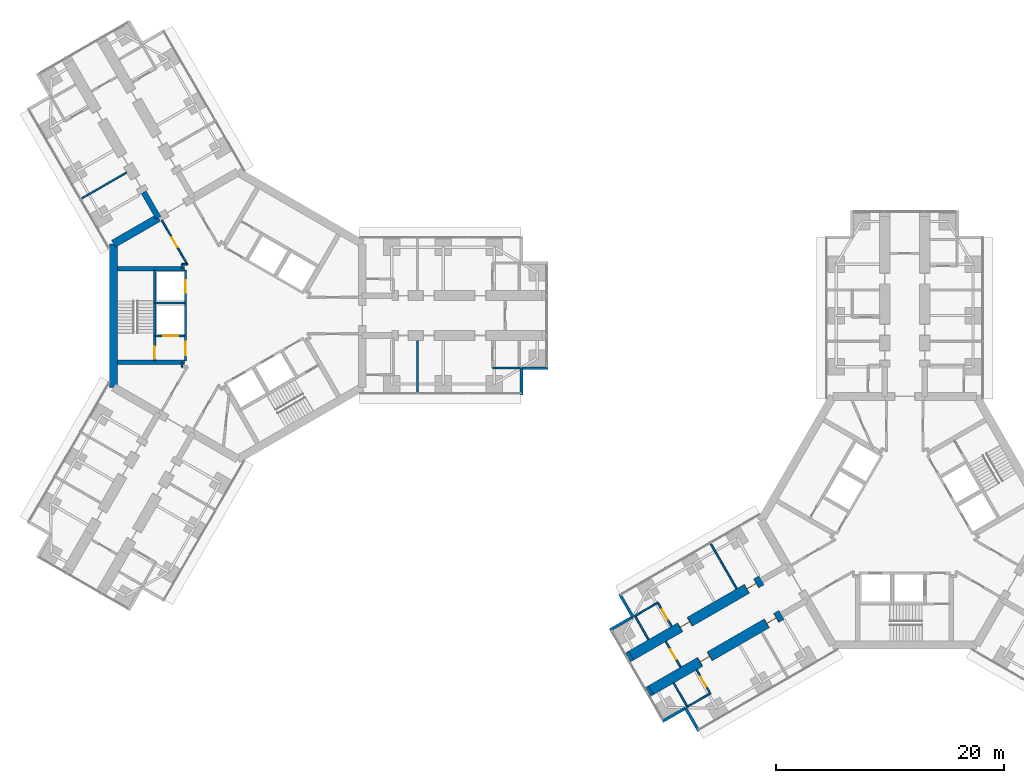
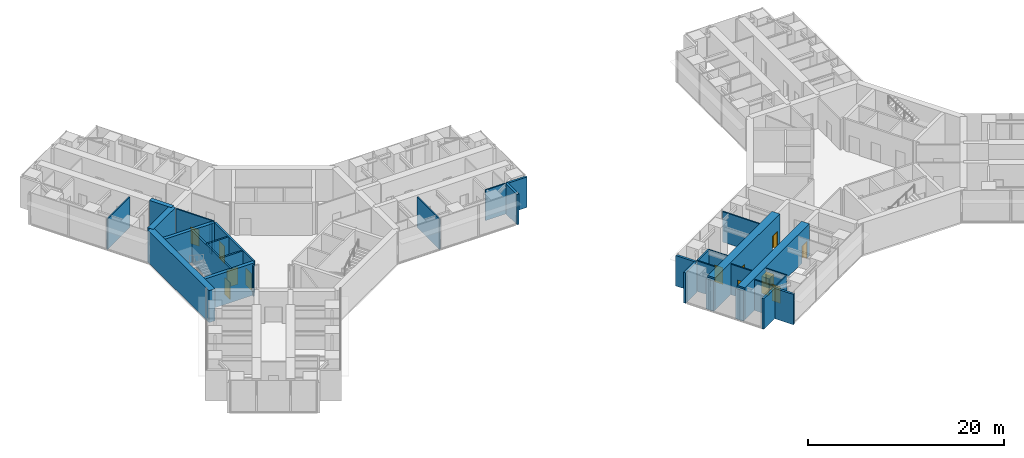
# One storey, part 17 of 24: 34 walls, 12 doors, 12 openings.
"""IFC4 building model written with IfcOpenShell, lengths in metres."""

from ifc_helpers import new_model, si_unit, direction, frame, frame_2d, origin, place, context, subcontext, project, spatial, rectangle, extrude, material, layer, layer_set, type_object, element, fill, save


model = new_model("IFC4")

# Units and contexts
model_context = context("Model", 3, precision=1e-05, world=origin(), true_north=direction((0.0, 1.0)))
body_context = subcontext(model_context, "Body", "Model", "MODEL_VIEW")
ifc_project = project(units=[si_unit("LENGTHUNIT", "METRE"), si_unit("AREAUNIT", "SQUARE_METRE"), si_unit("VOLUMEUNIT", "CUBIC_METRE"), si_unit("PLANEANGLEUNIT", "RADIAN"), si_unit("MASSUNIT", "GRAM", prefix="KILO")], contexts=[model_context])

# Site, building, storey
site_placement = place(None, origin())
site = spatial("IfcSite", under=ifc_project, at=site_placement, CompositionType="ELEMENT")
building_placement = place(site_placement, origin())
building = spatial("IfcBuilding", under=site, at=building_placement, Name="Upepo Twin Towers", CompositionType="ELEMENT")
storey_placement = place(building_placement, frame((0.0, 0.0, 56.5)))
storey = spatial("IfcBuildingStorey", under=building, at=storey_placement, Name="L13", CompositionType="ELEMENT", Elevation=56.5)

# Walls
ifc_material_1 = material(Name="Dense concrete blockwork", Category="masonry")
ifc_layer_1 = layer(ifc_material_1, 0.89990234375)
ifc_layer_set_1 = layer_set([ifc_layer_1], Name="Buttress closer 900, blockwork with fire-stopping to the curtain wall")
wall_type_1 = type_object("IfcWallType", Name="Buttress closer 900, blockwork with fire-stopping to the curtain wall", PredefinedType="PARTITIONING", material=ifc_layer_set_1)
for number, where, z_axis, x_axis, name in (
    (1, (36.252197265625, -32.865478515625, 0.0), (0.0, 0.0, 1.0), (-0.866054481515, -0.499949632511, 0.0), "T2 L13 wing B buttress closer L"),
    (2, (34.502197265625, -29.83447265625, 0.0), (0.0, 0.0, 1.0), (-0.866054481515, -0.499949632511, 0.0), "T2 L13 wing B buttress closer R"),
):
    element("IfcWall", number, at=place(storey_placement, frame(where, z_axis=z_axis, x_axis=x_axis)), inside=storey, type_object=wall_type_1, Name=name, PredefinedType="PARTITIONING", context=body_context, shape_type="SweptSolid", body=[
        extrude(rectangle(XDim=0.31005859375, YDim=0.89990234375, at=frame_2d((0.155029296875, 0.0))), origin(), (0.0, 0.0, 1.0), 3.800048828125),
    ])
ifc_material_2 = material(Name="Concrete C60/75", Category="concrete")
ifc_layer_2 = layer(ifc_material_2, 0.5)
ifc_layer_set_2 = layer_set([ifc_layer_2], Name="Concrete C60/75")
wall_type_2 = type_object("IfcWallType", Name="Buttress wall 500 RC", PredefinedType="SHEAR", material=ifc_layer_set_2)
wall_1_placement = place(storey_placement, frame((-6.9697265625, 8.57177734375, 0.0), z_axis=(0.0, 0.0, 1.0), x_axis=(-0.499988811324, 0.866031863473, 0.0)))
element("IfcWall", 3, at=wall_1_placement, inside=storey, type_object=wall_type_2, Name="T1 wing B buttress wall L", PredefinedType="SHEAR", context=body_context, shape_type="SweptSolid", body=[
    extrude(rectangle(XDim=2.591796875, YDim=0.5, at=frame_2d((1.2958984375, 0.0))), origin(), (0.0, 0.0, 1.0), 4.0),
])

# Wall, openings, doors
ifc_material_3 = material(Name="Concrete C60/75", Category="concrete")
ifc_layer_3 = layer(ifc_material_3, 0.89990234375)
ifc_layer_set_3 = layer_set([ifc_layer_3], Name="Concrete C60/75")
wall_type_3 = type_object("IfcWallType", Name="Buttress wall 900 RC", PredefinedType="SHEAR", material=ifc_layer_set_3)
wall_2_placement = place(storey_placement, frame((47.68359375, -26.265625, 0.0), z_axis=(0.0, 0.0, 1.0), x_axis=(-0.866027579429, -0.499996231654, 0.0)))
wall_2 = element("IfcWall", 4, at=wall_2_placement, inside=storey, type_object=wall_type_3, Name="T2 wing B buttress wall L part 2", PredefinedType="SHEAR", context=body_context, shape_type="SweptSolid", body=[
    extrude(rectangle(XDim=13.19970703125, YDim=0.89990234375, at=frame_2d((6.599853515625, 0.0))), origin(), (0.0, 0.0, 1.0), 4.0),
])
opening_1_placement = place(wall_2_placement, frame((0.5, 0.0, 0.0)))
opening_1 = element("IfcOpeningElement", 5, at=opening_1_placement, cuts=wall_2, Name="Opening D1", PredefinedType="OPENING", context=body_context, shape_type="SweptSolid", body=[
    extrude(rectangle(XDim=1.0, YDim=2.10009765625, at=frame_2d((0.5, 1.050048828125))), frame((0.0, 0.4599609375, 0.0), z_axis=(0.0, -1.0, 0.0), x_axis=(1.0, 0.0, 0.0)), (0.0, 0.0, 1.0), 0.919921875),
])
opening_2_placement = place(wall_2_placement, frame((7.25, 0.0, 0.0)))
opening_2 = element("IfcOpeningElement", 6, at=opening_2_placement, cuts=wall_2, Name="Opening D1", PredefinedType="OPENING", context=body_context, shape_type="SweptSolid", body=[
    extrude(rectangle(XDim=1.0, YDim=2.10009765625, at=frame_2d((0.5, 1.050048828125))), frame((0.0, 0.4599609375, 0.0), z_axis=(0.0, -1.0, 0.0), x_axis=(1.0, 0.0, 0.0)), (0.0, 0.0, 1.0), 0.919921875),
])
ifc_material_4 = material(Name="Timber doorset", Category="wood")
door_type_1 = type_object("IfcDoorType", Name="Room door 1000 FD30", OperationType="SINGLE_SWING_LEFT", PredefinedType="DOOR", material=ifc_material_4)
door_1_placement = place(opening_1_placement, origin())
door_1 = element("IfcDoor", 7, at=door_1_placement, inside=storey, type_object=door_type_1, Name="T2 L13 tutorial room door", OperationType="SINGLE_SWING_LEFT", OverallHeight=2.10009765625, OverallWidth=1.0, PredefinedType="DOOR", context=body_context, shape_type="SweptSolid", body=[
    extrude(rectangle(XDim=0.92, YDim=2.06009765625, at=frame_2d((0.5, 1.030029296875))), frame((0.0, 0.02490234375, 0.0), z_axis=(0.0, -1.0, 0.0), x_axis=(1.0, 0.0, 0.0)), (0.0, 0.0, 1.0), 0.050048828125),
    extrude(rectangle(XDim=0.04, YDim=2.10009765625, at=frame_2d((0.02001953125, 1.050048828125))), frame((0.0, 0.44970703125, 0.0), z_axis=(0.0, -1.0, 0.0), x_axis=(1.0, 0.0, 0.0)), (0.0, 0.0, 1.0), 0.8994140625),
    extrude(rectangle(XDim=0.04, YDim=2.10009765625, at=frame_2d((0.97998046875, 1.050048828125))), frame((0.0, 0.44970703125, 0.0), z_axis=(0.0, -1.0, 0.0), x_axis=(1.0, 0.0, 0.0)), (0.0, 0.0, 1.0), 0.8994140625),
    extrude(rectangle(XDim=0.92, YDim=0.04, at=frame_2d((0.5, 2.080078125))), frame((0.0, 0.44970703125, 0.0), z_axis=(0.0, -1.0, 0.0), x_axis=(1.0, 0.0, 0.0)), (0.0, 0.0, 1.0), 0.8994140625),
])
fill(opening_1, door_1)
door_2_placement = place(opening_2_placement, origin())
door_2 = element("IfcDoor", 8, at=door_2_placement, inside=storey, type_object=door_type_1, Name="T2 L13 classroom door", OperationType="SINGLE_SWING_RIGHT", OverallHeight=2.10009765625, OverallWidth=1.0, PredefinedType="DOOR", context=body_context, shape_type="SweptSolid", body=[
    extrude(rectangle(XDim=0.92, YDim=2.06009765625, at=frame_2d((0.5, 1.030029296875))), frame((0.0, 0.02490234375, 0.0), z_axis=(0.0, -1.0, 0.0), x_axis=(1.0, 0.0, 0.0)), (0.0, 0.0, 1.0), 0.050048828125),
    extrude(rectangle(XDim=0.04, YDim=2.10009765625, at=frame_2d((0.02001953125, 1.050048828125))), frame((0.0, 0.44970703125, 0.0), z_axis=(0.0, -1.0, 0.0), x_axis=(1.0, 0.0, 0.0)), (0.0, 0.0, 1.0), 0.8994140625),
    extrude(rectangle(XDim=0.04, YDim=2.10009765625, at=frame_2d((0.97998046875, 1.050048828125))), frame((0.0, 0.44970703125, 0.0), z_axis=(0.0, -1.0, 0.0), x_axis=(1.0, 0.0, 0.0)), (0.0, 0.0, 1.0), 0.8994140625),
    extrude(rectangle(XDim=0.92, YDim=0.04, at=frame_2d((0.5, 2.080078125))), frame((0.0, 0.44970703125, 0.0), z_axis=(0.0, -1.0, 0.0), x_axis=(1.0, 0.0, 0.0)), (0.0, 0.0, 1.0), 0.8994140625),
])
fill(opening_2, door_2)

wall_3_placement = place(storey_placement, frame((45.93359375, -23.234375, 0.0), z_axis=(0.0, 0.0, 1.0), x_axis=(-0.866019570528, -0.500010103361, 0.0)))
wall_3 = element("IfcWall", 9, at=wall_3_placement, inside=storey, type_object=wall_type_3, Name="T2 wing B buttress wall R part 2", PredefinedType="SHEAR", context=body_context, shape_type="SweptSolid", body=[
    extrude(rectangle(XDim=13.199951171875, YDim=0.89990234375, at=frame_2d((6.60009765625, 0.0))), origin(), (0.0, 0.0, 1.0), 4.0),
])
opening_3_placement = place(wall_3_placement, frame((0.5, 0.0, 0.0)))
opening_3 = element("IfcOpeningElement", 10, at=opening_3_placement, cuts=wall_3, Name="Opening D1", PredefinedType="OPENING", context=body_context, shape_type="SweptSolid", body=[
    extrude(rectangle(XDim=1.0, YDim=2.10009765625, at=frame_2d((0.5, 1.050048828125))), frame((0.0, 0.4599609375, 0.0), z_axis=(0.0, -1.0, 0.0), x_axis=(1.0, 0.0, 0.0)), (0.0, 0.0, 1.0), 0.919921875),
])
opening_4_placement = place(wall_3_placement, frame((7.25, 0.0, 0.0)))
opening_4 = element("IfcOpeningElement", 11, at=opening_4_placement, cuts=wall_3, Name="Opening D1", PredefinedType="OPENING", context=body_context, shape_type="SweptSolid", body=[
    extrude(rectangle(XDim=1.0, YDim=2.10009765625, at=frame_2d((0.5, 1.050048828125))), frame((0.0, 0.4599609375, 0.0), z_axis=(0.0, -1.0, 0.0), x_axis=(1.0, 0.0, 0.0)), (0.0, 0.0, 1.0), 0.919921875),
])
door_3_placement = place(opening_3_placement, origin())
door_3 = element("IfcDoor", 12, at=door_3_placement, inside=storey, type_object=door_type_1, Name="T2 L13 staff office door", OperationType="SINGLE_SWING_LEFT", OverallHeight=2.10009765625, OverallWidth=1.0, PredefinedType="DOOR", context=body_context, shape_type="SweptSolid", body=[
    extrude(rectangle(XDim=0.92, YDim=2.06009765625, at=frame_2d((0.5, 1.030029296875))), frame((0.0, 0.02490234375, 0.0), z_axis=(0.0, -1.0, 0.0), x_axis=(1.0, 0.0, 0.0)), (0.0, 0.0, 1.0), 0.050048828125),
    extrude(rectangle(XDim=0.04, YDim=2.10009765625, at=frame_2d((0.02001953125, 1.050048828125))), frame((0.0, 0.44970703125, 0.0), z_axis=(0.0, -1.0, 0.0), x_axis=(1.0, 0.0, 0.0)), (0.0, 0.0, 1.0), 0.8994140625),
    extrude(rectangle(XDim=0.04, YDim=2.10009765625, at=frame_2d((0.97998046875, 1.050048828125))), frame((0.0, 0.44970703125, 0.0), z_axis=(0.0, -1.0, 0.0), x_axis=(1.0, 0.0, 0.0)), (0.0, 0.0, 1.0), 0.8994140625),
    extrude(rectangle(XDim=0.92, YDim=0.04, at=frame_2d((0.5, 2.080078125))), frame((0.0, 0.44970703125, 0.0), z_axis=(0.0, -1.0, 0.0), x_axis=(1.0, 0.0, 0.0)), (0.0, 0.0, 1.0), 0.8994140625),
])
fill(opening_3, door_3)
door_4_placement = place(opening_4_placement, origin())
door_4 = element("IfcDoor", 13, at=door_4_placement, inside=storey, type_object=door_type_1, Name="T2 L13 classroom door", OperationType="SINGLE_SWING_RIGHT", OverallHeight=2.10009765625, OverallWidth=1.0, PredefinedType="DOOR", context=body_context, shape_type="SweptSolid", body=[
    extrude(rectangle(XDim=0.92, YDim=2.06009765625, at=frame_2d((0.5, 1.030029296875))), frame((0.0, 0.02490234375, 0.0), z_axis=(0.0, -1.0, 0.0), x_axis=(1.0, 0.0, 0.0)), (0.0, 0.0, 1.0), 0.050048828125),
    extrude(rectangle(XDim=0.04, YDim=2.10009765625, at=frame_2d((0.02001953125, 1.050048828125))), frame((0.0, 0.44970703125, 0.0), z_axis=(0.0, -1.0, 0.0), x_axis=(1.0, 0.0, 0.0)), (0.0, 0.0, 1.0), 0.8994140625),
    extrude(rectangle(XDim=0.04, YDim=2.10009765625, at=frame_2d((0.97998046875, 1.050048828125))), frame((0.0, 0.44970703125, 0.0), z_axis=(0.0, -1.0, 0.0), x_axis=(1.0, 0.0, 0.0)), (0.0, 0.0, 1.0), 0.8994140625),
    extrude(rectangle(XDim=0.92, YDim=0.04, at=frame_2d((0.5, 2.080078125))), frame((0.0, 0.44970703125, 0.0), z_axis=(0.0, -1.0, 0.0), x_axis=(1.0, 0.0, 0.0)), (0.0, 0.0, 1.0), 0.8994140625),
])
fill(opening_4, door_4)

# Walls
ifc_material_5 = material(Name="Concrete C60/75", Category="concrete")
ifc_layer_4 = layer(ifc_material_5, 0.699951171875)
ifc_layer_set_4 = layer_set([ifc_layer_4], Name="Concrete C60/75")
wall_type_4 = type_object("IfcWallType", Name="Core wall 700 RC", PredefinedType="SHEAR", material=ifc_layer_set_4)
wall_4_placement = place(storey_placement, frame((-6.9697265625, 8.57177734375, 0.0), z_axis=(0.0, 0.0, 1.0), x_axis=(-0.866034513004, -0.499984222037, 0.0)))
element("IfcWall", 14, at=wall_4_placement, inside=storey, type_object=wall_type_4, Name="T1 core wall 120 L", PredefinedType="SHEAR", context=body_context, shape_type="SweptSolid", body=[
    extrude(rectangle(XDim=4.548095703125, YDim=0.699951171875, at=frame_2d((2.27392578125, 0.0))), origin(), (0.0, 0.0, 1.0), 4.0),
])
wall_5_placement = place(storey_placement, frame((-10.908447265625, 6.2978515625, 0.0), z_axis=(0.0, 0.0, 1.0), x_axis=(0.0, -1.0, 0.0)))
element("IfcWall", 15, at=wall_5_placement, inside=storey, type_object=wall_type_4, Name="T1 core wall 180", PredefinedType="SHEAR", context=body_context, shape_type="SweptSolid", body=[
    extrude(rectangle(XDim=12.595703125, YDim=0.699951171875, at=frame_2d((6.2978515625, 0.0))), origin(), (0.0, 0.0, 1.0), 4.0),
])
ifc_material_6 = material(Name="Blockwork with anodised aluminium cladding", Category="masonry")
ifc_layer_5 = layer(ifc_material_6, 0.25)
ifc_layer_set_5 = layer_set([ifc_layer_5], Name="Notch cladding wall 250, pale metal")
wall_type_5 = type_object("IfcWallType", Name="Notch cladding wall 250, pale metal", PredefinedType="STANDARD", material=ifc_layer_set_5)
for number, where, z_axis, x_axis, name in (
    (16, (24.875, -6.949951171875, 0.0), (0.0, 0.0, 1.0), (0.0, 1.0, 0.0), "T1 L13 wing A notch wall R1"),
    (17, (24.875, -4.625, 0.0), (0.0, 0.0, 1.0), (1.0, 0.0, 0.0), "T1 L13 wing A notch wall R2"),
    (18, (40.4326171875, -36.456298828125, 0.0), (0.0, 0.0, 1.0), (-0.500046648681, 0.865998469481, 0.0), "T2 L13 wing B notch wall L1"),
    (19, (39.27001953125, -34.44287109375, 0.0), (0.0, 0.0, 1.0), (-0.865998469481, -0.500046648681, 0.0), "T2 L13 wing B notch wall L2"),
    (20, (33.482666015625, -24.418701171875, 0.0), (0.0, 0.0, 1.0), (0.499967891604, -0.866043940782, 0.0), "T2 L13 wing B notch wall R1"),
    (21, (34.64501953125, -26.43212890625, 0.0), (0.0, 0.0, 1.0), (-0.865998469481, -0.500046648681, 0.0), "T2 L13 wing B notch wall R2"),
):
    element("IfcWall", number, at=place(storey_placement, frame(where, z_axis=z_axis, x_axis=x_axis)), inside=storey, type_object=wall_type_5, Name=name, PredefinedType="STANDARD", context=body_context, shape_type="SweptSolid", body=[
        extrude(rectangle(XDim=2.324951171875, YDim=0.25, at=frame_2d((1.16259765625, 0.0))), origin(), (0.0, 0.0, 1.0), 3.800048828125),
    ])

# Wall, openings, doors
ifc_material_7 = material(Name="Concrete C40/50", Category="concrete")
ifc_layer_6 = layer(ifc_material_7, 0.199951171875)
ifc_layer_set_6 = layer_set([ifc_layer_6], Name="Concrete C40/50")
wall_type_6 = type_object("IfcWallType", Name="Shaft wall 200 RC", PredefinedType="SHEAR", material=ifc_layer_set_6)
wall_6_placement = place(storey_placement, frame((-4.60009765625, 4.0, 0.0), z_axis=(0.0, 0.0, 1.0), x_axis=(0.0, -1.0, 0.0)))
wall_6 = element("IfcWall", 22, at=wall_6_placement, inside=storey, type_object=wall_type_6, Name="T1 core W180 front wall", PredefinedType="SHEAR", context=body_context, shape_type="SweptSolid", body=[
    extrude(rectangle(XDim=8.0, YDim=0.199951171875, at=frame_2d((4.0, 0.0))), origin(), (0.0, 0.0, 1.0), 4.0),
])
opening_5_placement = place(wall_6_placement, frame((6.300048828125, 0.0, 0.0)))
opening_5 = element("IfcOpeningElement", 23, at=opening_5_placement, cuts=wall_6, Name="Opening D4", PredefinedType="OPENING", context=body_context, shape_type="SweptSolid", body=[
    extrude(rectangle(XDim=1.199951171875, YDim=2.10009765625, at=frame_2d((0.60009765625, 1.050048828125))), frame((0.0, 0.10986328125, 0.0), z_axis=(0.0, -1.0, 0.0), x_axis=(1.0, 0.0, 0.0)), (0.0, 0.0, 1.0), 0.219970703125),
])
opening_6_placement = place(wall_6_placement, frame((0.89990234375, 0.0, 0.0)))
opening_6 = element("IfcOpeningElement", 24, at=opening_6_placement, cuts=wall_6, Name="Opening LD1", PredefinedType="OPENING", context=body_context, shape_type="SweptSolid", body=[
    extrude(rectangle(XDim=1.10009765625, YDim=2.199951171875, at=frame_2d((0.550048828125, 1.10009765625))), frame((0.0, 0.10986328125, 0.0), z_axis=(0.0, -1.0, 0.0), x_axis=(1.0, 0.0, 0.0)), (0.0, 0.0, 1.0), 0.219970703125),
])
ifc_material_8 = material(Name="Steel doorset", Category="steel")
door_type_2 = type_object("IfcDoorType", Name="Lift landing door 1100", OperationType="DOUBLE_DOOR_SLIDING", PredefinedType="DOOR", material=ifc_material_8)
door_5_placement = place(opening_6_placement, origin())
door_5 = element("IfcDoor", 25, at=door_5_placement, inside=storey, type_object=door_type_2, Name="T1 L13 lift SV1 landing door", OperationType="DOUBLE_DOOR_SLIDING", OverallHeight=2.199951171875, OverallWidth=1.10009765625, PredefinedType="DOOR", context=body_context, shape_type="SweptSolid", body=[
    extrude(rectangle(XDim=1.10009765625, YDim=2.199951171875, at=frame_2d((0.550048828125, 1.10009765625))), frame((0.0, 0.02490234375, 0.0), z_axis=(0.0, -1.0, 0.0), x_axis=(1.0, 0.0, 0.0)), (0.0, 0.0, 1.0), 0.050048828125),
])
fill(opening_6, door_5)
ifc_material_9 = material(Name="Timber doorset", Category="wood")
door_type_3 = type_object("IfcDoorType", Name="Lobby door 1200 FD60", OperationType="SINGLE_SWING_LEFT", PredefinedType="DOOR", material=ifc_material_9)
door_6_placement = place(opening_5_placement, origin())
door_6 = element("IfcDoor", 26, at=door_6_placement, inside=storey, type_object=door_type_3, Name="T1 L13 W180 lobby door", OperationType="SINGLE_SWING_RIGHT", OverallHeight=2.10009765625, OverallWidth=1.199951171875, PredefinedType="DOOR", context=body_context, shape_type="SweptSolid", body=[
    extrude(rectangle(XDim=1.199951171875, YDim=2.10009765625, at=frame_2d((0.60009765625, 1.050048828125))), frame((0.0, 0.02490234375, 0.0), z_axis=(0.0, -1.0, 0.0), x_axis=(1.0, 0.0, 0.0)), (0.0, 0.0, 1.0), 0.050048828125),
])
fill(opening_5, door_6)

# Wall
wall_7_placement = place(storey_placement, frame((-4.699951171875, 1.10009765625, 0.0), z_axis=(0.0, 0.0, 1.0), x_axis=(-1.0, 0.0, 0.0)))
element("IfcWall", 27, at=wall_7_placement, inside=storey, type_object=wall_type_6, Name="T1 core W180 shaft divider", PredefinedType="SHEAR", context=body_context, shape_type="SweptSolid", body=[
    extrude(rectangle(XDim=2.60009765625, YDim=0.199951171875, at=frame_2d((1.300048828125, 0.0))), origin(), (0.0, 0.0, 1.0), 4.0),
])

# Wall, opening, door
wall_8_placement = place(storey_placement, frame((-4.699951171875, -1.800048828125, 0.0), z_axis=(0.0, 0.0, 1.0), x_axis=(-1.0, 0.0, 0.0)))
wall_8 = element("IfcWall", 28, at=wall_8_placement, inside=storey, type_object=wall_type_6, Name="T1 core W180 lobby wall", PredefinedType="SHEAR", context=body_context, shape_type="SweptSolid", body=[
    extrude(rectangle(XDim=2.60009765625, YDim=0.199951171875, at=frame_2d((1.300048828125, 0.0))), origin(), (0.0, 0.0, 1.0), 4.0),
])
opening_7_placement = place(wall_8_placement, frame((0.550048828125, 0.0, 0.0)))
opening_7 = element("IfcOpeningElement", 29, at=opening_7_placement, cuts=wall_8, Name="Opening LD2", PredefinedType="OPENING", context=body_context, shape_type="SweptSolid", body=[
    extrude(rectangle(XDim=1.300048828125, YDim=2.199951171875, at=frame_2d((0.64990234375, 1.10009765625))), frame((0.0, 0.10986328125, 0.0), z_axis=(0.0, -1.0, 0.0), x_axis=(1.0, 0.0, 0.0)), (0.0, 0.0, 1.0), 0.219970703125),
])
ifc_material_10 = material(Name="Steel doorset", Category="steel")
door_type_4 = type_object("IfcDoorType", Name="Firefighting lift landing door 1300", OperationType="DOUBLE_DOOR_SLIDING", PredefinedType="DOOR", material=ifc_material_10)
door_7_placement = place(opening_7_placement, origin())
door_7 = element("IfcDoor", 30, at=door_7_placement, inside=storey, type_object=door_type_4, Name="T1 L13 firefighting lift landing door", OperationType="DOUBLE_DOOR_SLIDING", OverallHeight=2.199951171875, OverallWidth=1.300048828125, PredefinedType="DOOR", context=body_context, shape_type="SweptSolid", body=[
    extrude(rectangle(XDim=1.300048828125, YDim=2.199951171875, at=frame_2d((0.64990234375, 1.10009765625))), frame((0.0, 0.02490234375, 0.0), z_axis=(0.0, -1.0, 0.0), x_axis=(1.0, 0.0, 0.0)), (0.0, 0.0, 1.0), 0.050048828125),
])
fill(opening_7, door_7)

wall_9_placement = place(storey_placement, frame((-7.300048828125, 4.0, 0.0), z_axis=(0.0, 0.0, 1.0), x_axis=(0.0, -1.0, 0.0)))
wall_9 = element("IfcWall", 31, at=wall_9_placement, inside=storey, type_object=wall_type_6, Name="T1 core W180 stair wall", PredefinedType="SHEAR", context=body_context, shape_type="SweptSolid", body=[
    extrude(rectangle(XDim=8.0, YDim=0.199951171875, at=frame_2d((4.0, 0.0))), origin(), (0.0, 0.0, 1.0), 4.0),
])
opening_8_placement = place(wall_9_placement, frame((6.699951171875, 0.0, 0.0)))
opening_8 = element("IfcOpeningElement", 32, at=opening_8_placement, cuts=wall_9, Name="Opening D3", PredefinedType="OPENING", context=body_context, shape_type="SweptSolid", body=[
    extrude(rectangle(XDim=1.10009765625, YDim=2.10009765625, at=frame_2d((0.550048828125, 1.050048828125))), frame((0.0, 0.10986328125, 0.0), z_axis=(0.0, -1.0, 0.0), x_axis=(1.0, 0.0, 0.0)), (0.0, 0.0, 1.0), 0.219970703125),
])
ifc_material_11 = material(Name="Timber doorset", Category="wood")
door_type_5 = type_object("IfcDoorType", Name="Stair door 1100 FD60", OperationType="SINGLE_SWING_LEFT", PredefinedType="DOOR", material=ifc_material_11)
door_8_placement = place(opening_8_placement, origin())
door_8 = element("IfcDoor", 33, at=door_8_placement, inside=storey, type_object=door_type_5, Name="T1 L13 stair door", OperationType="SINGLE_SWING_RIGHT", OverallHeight=2.10009765625, OverallWidth=1.10009765625, PredefinedType="DOOR", context=body_context, shape_type="SweptSolid", body=[
    extrude(rectangle(XDim=1.10009765625, YDim=2.10009765625, at=frame_2d((0.550048828125, 1.050048828125))), frame((0.0, 0.02490234375, 0.0), z_axis=(0.0, -1.0, 0.0), x_axis=(1.0, 0.0, 0.0)), (0.0, 0.0, 1.0), 0.050048828125),
])
fill(opening_8, door_8)

# Walls
ifc_material_12 = material(Name="Concrete C40/50", Category="concrete")
ifc_layer_7 = layer(ifc_material_12, 0.39990234375)
ifc_layer_set_7 = layer_set([ifc_layer_7], Name="Concrete C40/50")
wall_type_7 = type_object("IfcWallType", Name="Shaft wall 400 RC", PredefinedType="SHEAR", material=ifc_layer_set_7)
for number, where, z_axis, x_axis, name in (
    (34, (-4.699951171875, -4.10009765625, 0.0), (0.0, 0.0, 1.0), (-1.0, 0.0, 0.0), "T1 core W180 side wall N"),
    (35, (-4.699951171875, 4.10009765625, 0.0), (0.0, 0.0, 1.0), (-1.0, 0.0, 0.0), "T1 core W180 side wall S"),
):
    element("IfcWall", number, at=place(storey_placement, frame(where, z_axis=z_axis, x_axis=x_axis)), inside=storey, type_object=wall_type_7, Name=name, PredefinedType="SHEAR", context=body_context, shape_type="SweptSolid", body=[
        extrude(rectangle(XDim=5.8583984375, YDim=0.39990234375, at=frame_2d((2.92919921875, 0.0))), origin(), (0.0, 0.0, 1.0), 4.0),
    ])
ifc_material_13 = material(Name="Gypsum board on steel studs", Category="steel")
ifc_layer_8 = layer(ifc_material_13, 0.14990234375)
ifc_layer_set_8 = layer_set([ifc_layer_8], Name="Teaching partition 150 acoustic")
wall_type_8 = type_object("IfcWallType", Name="Teaching partition 150 acoustic", PredefinedType="PARTITIONING", material=ifc_layer_set_8)
wall_10_placement = place(storey_placement, frame((15.75, -2.199951171875, 0.0), z_axis=(0.0, 0.0, 1.0), x_axis=(0.0, -1.0, 0.0)))
element("IfcWall", 36, at=wall_10_placement, inside=storey, type_object=wall_type_8, Name="T1 partition AR at 15.75", PredefinedType="PARTITIONING", context=body_context, shape_type="SweptSolid", body=[
    extrude(rectangle(XDim=4.550048828125, YDim=0.14990234375, at=frame_2d((2.27490234375, 0.0))), origin(), (0.0, 0.0, 1.0), 3.800048828125),
])
wall_11_placement = place(storey_placement, frame((22.35009765625, -4.60009765625, 0.0), z_axis=(0.0, 0.0, 1.0), x_axis=(1.0, 0.0, 0.0)))
element("IfcWall", 37, at=wall_11_placement, inside=storey, type_object=wall_type_8, Name="T1 inner room partition AR at 22.35", PredefinedType="PARTITIONING", context=body_context, shape_type="SweptSolid", body=[
    extrude(rectangle(XDim=2.39990234375, YDim=0.14990234375, at=frame_2d((1.199951171875, 0.0))), origin(), (0.0, 0.0, 1.0), 3.800048828125),
])
wall_12_placement = place(storey_placement, frame((-9.7802734375, 12.539794921875, 0.0), z_axis=(0.0, 0.0, 1.0), x_axis=(-0.866035472144, -0.499982560684, 0.0)))
element("IfcWall", 38, at=wall_12_placement, inside=storey, type_object=wall_type_8, Name="T1 partition BL at 15.75", PredefinedType="PARTITIONING", context=body_context, shape_type="SweptSolid", body=[
    extrude(rectangle(XDim=4.550048828125, YDim=0.14990234375, at=frame_2d((2.27490234375, 0.0))), origin(), (0.0, 0.0, 1.0), 3.800048828125),
])
for number, where, z_axis, x_axis, name in (
    (39, (-4.89990234375, -4.52001953125, 0.0), (0.0, 0.0, 1.0), (0.0, 1.0, 0.0), "T1 core room partition 7"),
    (40, (-4.89990234375, 4.090087890625, 0.0), (0.0, 0.0, 1.0), (0.0, 1.0, 0.0), "T1 core room partition 8"),
):
    element("IfcWall", number, at=place(storey_placement, frame(where, z_axis=z_axis, x_axis=x_axis)), inside=storey, type_object=wall_type_8, Name=name, PredefinedType="PARTITIONING", context=body_context, shape_type="SweptSolid", body=[
        extrude(rectangle(XDim=0.429931640625, YDim=0.14990234375, at=frame_2d((0.21484375, 0.0))), origin(), (0.0, 0.0, 1.0), 3.800048828125),
    ])
wall_13_placement = place(storey_placement, frame((-4.919921875, 4.5, 0.0), z_axis=(0.0, 0.0, 1.0), x_axis=(1.0, 0.0, 0.0)))
element("IfcWall", 41, at=wall_13_placement, inside=storey, type_object=wall_type_8, Name="T1 core room partition 9", PredefinedType="PARTITIONING", context=body_context, shape_type="SweptSolid", body=[
    extrude(rectangle(XDim=0.494384765625, YDim=0.14990234375, at=frame_2d((0.2470703125, 0.0))), origin(), (0.0, 0.0, 1.0), 3.800048828125),
])

# Wall, opening, door
wall_14_placement = place(storey_placement, frame((-4.435546875, 4.482666015625, 0.0), z_axis=(0.0, 0.0, 1.0), x_axis=(-0.500017246033, 0.866015446554, 0.0)))
wall_14 = element("IfcWall", 42, at=wall_14_placement, inside=storey, type_object=wall_type_8, Name="T1 core room partition 10", PredefinedType="PARTITIONING", context=body_context, shape_type="SweptSolid", body=[
    extrude(rectangle(XDim=4.468505859375, YDim=0.14990234375, at=frame_2d((2.234375, 0.0))), origin(), (0.0, 0.0, 1.0), 3.800048828125),
])
opening_9_placement = place(wall_14_placement, frame((1.744384765625, 0.0, 0.0)))
opening_9 = element("IfcOpeningElement", 43, at=opening_9_placement, cuts=wall_14, Name="Opening D1", PredefinedType="OPENING", context=body_context, shape_type="SweptSolid", body=[
    extrude(rectangle(XDim=1.0, YDim=2.10009765625, at=frame_2d((0.5, 1.050048828125))), frame((0.0, 0.0849609375, 0.0), z_axis=(0.0, -1.0, 0.0), x_axis=(1.0, 0.0, 0.0)), (0.0, 0.0, 1.0), 0.169921875),
])
door_9_placement = place(opening_9_placement, origin())
door_9 = element("IfcDoor", 44, at=door_9_placement, inside=storey, type_object=door_type_1, Name="T1 L13 core room door K7", OperationType="SINGLE_SWING_RIGHT", OverallHeight=2.10009765625, OverallWidth=1.0, PredefinedType="DOOR", context=body_context, shape_type="SweptSolid", body=[
    extrude(rectangle(XDim=1.0, YDim=2.10009765625, at=frame_2d((0.5, 1.050048828125))), frame((0.0, 0.02490234375, 0.0), z_axis=(0.0, -1.0, 0.0), x_axis=(1.0, 0.0, 0.0)), (0.0, 0.0, 1.0), 0.050048828125),
])
fill(opening_9, door_9)

# Wall
wall_15_placement = place(storey_placement, frame((41.4443359375, -33.15869140625, 0.0), z_axis=(0.0, 0.0, 1.0), x_axis=(-0.866024647952, -0.500001309137, 0.0)))
element("IfcWall", 45, at=wall_15_placement, inside=storey, type_object=wall_type_8, Name="T2 inner room partition BL at 22.35", PredefinedType="PARTITIONING", context=body_context, shape_type="SweptSolid", body=[
    extrude(rectangle(XDim=2.39990234375, YDim=0.14990234375, at=frame_2d((1.199951171875, 0.0))), origin(), (0.0, 0.0, 1.0), 3.800048828125),
])

# Wall, opening, door
wall_16_placement = place(storey_placement, frame((40.244384765625, -31.080322265625, 0.0), z_axis=(0.0, 0.0, 1.0), x_axis=(0.500001309137, -0.866024647952, 0.0)))
wall_16 = element("IfcWall", 46, at=wall_16_placement, inside=storey, type_object=wall_type_8, Name="T2 inner room partition BL end at 22.35", PredefinedType="PARTITIONING", context=body_context, shape_type="SweptSolid", body=[
    extrude(rectangle(XDim=2.39990234375, YDim=0.14990234375, at=frame_2d((1.199951171875, 0.0))), origin(), (0.0, 0.0, 1.0), 3.800048828125),
])
opening_10_placement = place(wall_16_placement, frame((0.699951171875, 0.0, 0.0)))
opening_10 = element("IfcOpeningElement", 47, at=opening_10_placement, cuts=wall_16, Name="Opening D1", PredefinedType="OPENING", context=body_context, shape_type="SweptSolid", body=[
    extrude(rectangle(XDim=1.0, YDim=2.10009765625, at=frame_2d((0.5, 1.050048828125))), frame((0.0, 0.0849609375, 0.0), z_axis=(0.0, -1.0, 0.0), x_axis=(1.0, 0.0, 0.0)), (0.0, 0.0, 1.0), 0.169921875),
])
door_10_placement = place(opening_10_placement, origin())
door_10 = element("IfcDoor", 48, at=door_10_placement, inside=storey, type_object=door_type_1, Name="T2 L13 inner room door", OperationType="SINGLE_SWING_LEFT", OverallHeight=2.10009765625, OverallWidth=1.0, PredefinedType="DOOR", context=body_context, shape_type="SweptSolid", body=[
    extrude(rectangle(XDim=1.0, YDim=2.10009765625, at=frame_2d((0.5, 1.050048828125))), frame((0.0, 0.02490234375, 0.0), z_axis=(0.0, -1.0, 0.0), x_axis=(1.0, 0.0, 0.0)), (0.0, 0.0, 1.0), 0.050048828125),
])
fill(opening_10, door_10)

# Walls
wall_17_placement = place(storey_placement, frame((38.230712890625, -32.24267578125, 0.0), z_axis=(0.0, 0.0, 1.0), x_axis=(0.500033551112, -0.866006032174, 0.0)))
element("IfcWall", 49, at=wall_17_placement, inside=storey, type_object=wall_type_8, Name="T2 inner room partition BL end at 24.75", PredefinedType="PARTITIONING", context=body_context, shape_type="SweptSolid", body=[
    extrude(rectangle(XDim=2.400146484375, YDim=0.14990234375, at=frame_2d((1.2001953125, 0.0))), origin(), (0.0, 0.0, 1.0), 3.800048828125),
])
wall_18_placement = place(storey_placement, frame((43.760009765625, -23.9697265625, 0.0), z_axis=(0.0, 0.0, 1.0), x_axis=(-0.499982560684, 0.866035472144, 0.0)))
element("IfcWall", 50, at=wall_18_placement, inside=storey, type_object=wall_type_8, Name="T2 partition BR at 15.75", PredefinedType="PARTITIONING", context=body_context, shape_type="SweptSolid", body=[
    extrude(rectangle(XDim=4.550048828125, YDim=0.14990234375, at=frame_2d((2.27490234375, 0.0))), origin(), (0.0, 0.0, 1.0), 3.800048828125),
])
wall_19_placement = place(storey_placement, frame((36.84423828125, -25.191162109375, 0.0), z_axis=(0.0, 0.0, 1.0), x_axis=(-0.865980596518, -0.500077600433, 0.0)))
element("IfcWall", 51, at=wall_19_placement, inside=storey, type_object=wall_type_8, Name="T2 inner room partition BR at 22.35", PredefinedType="PARTITIONING", context=body_context, shape_type="SweptSolid", body=[
    extrude(rectangle(XDim=2.39990234375, YDim=0.14990234375, at=frame_2d((1.199951171875, 0.0))), origin(), (0.0, 0.0, 1.0), 3.800048828125),
])

# Wall, opening, door
wall_20_placement = place(storey_placement, frame((38.04443359375, -27.269775390625, 0.0), z_axis=(0.0, 0.0, 1.0), x_axis=(-0.500033551112, 0.866006032174, 0.0)))
wall_20 = element("IfcWall", 52, at=wall_20_placement, inside=storey, type_object=wall_type_8, Name="T2 inner room partition BR end at 22.35", PredefinedType="PARTITIONING", context=body_context, shape_type="SweptSolid", body=[
    extrude(rectangle(XDim=2.400146484375, YDim=0.14990234375, at=frame_2d((1.2001953125, 0.0))), origin(), (0.0, 0.0, 1.0), 3.800048828125),
])
opening_11_placement = place(wall_20_placement, frame((0.699951171875, 0.0, 0.0)))
opening_11 = element("IfcOpeningElement", 53, at=opening_11_placement, cuts=wall_20, Name="Opening D1", PredefinedType="OPENING", context=body_context, shape_type="SweptSolid", body=[
    extrude(rectangle(XDim=1.0, YDim=2.10009765625, at=frame_2d((0.5, 1.050048828125))), frame((0.0, 0.0849609375, 0.0), z_axis=(0.0, -1.0, 0.0), x_axis=(1.0, 0.0, 0.0)), (0.0, 0.0, 1.0), 0.169921875),
])
door_11_placement = place(opening_11_placement, origin())
door_11 = element("IfcDoor", 54, at=door_11_placement, inside=storey, type_object=door_type_1, Name="T2 L13 inner room door", OperationType="SINGLE_SWING_LEFT", OverallHeight=2.10009765625, OverallWidth=1.0, PredefinedType="DOOR", context=body_context, shape_type="SweptSolid", body=[
    extrude(rectangle(XDim=1.0, YDim=2.10009765625, at=frame_2d((0.5, 1.050048828125))), frame((0.0, 0.02490234375, 0.0), z_axis=(0.0, -1.0, 0.0), x_axis=(1.0, 0.0, 0.0)), (0.0, 0.0, 1.0), 0.050048828125),
])
fill(opening_11, door_11)

# Wall
wall_21_placement = place(storey_placement, frame((36.03076171875, -28.43212890625, 0.0), z_axis=(0.0, 0.0, 1.0), x_axis=(-0.500001309137, 0.866024647952, 0.0)))
element("IfcWall", 55, at=wall_21_placement, inside=storey, type_object=wall_type_8, Name="T2 inner room partition BR end at 24.75", PredefinedType="PARTITIONING", context=body_context, shape_type="SweptSolid", body=[
    extrude(rectangle(XDim=2.39990234375, YDim=0.14990234375, at=frame_2d((1.199951171875, 0.0))), origin(), (0.0, 0.0, 1.0), 3.800048828125),
])

# Wall, opening, door
wall_22_placement = place(storey_placement, frame((37.541748046875, -28.59912109375, 0.0), z_axis=(0.0, 0.0, 1.0), x_axis=(0.500006934395, -0.866021400173, 0.0)))
wall_22 = element("IfcWall", 56, at=wall_22_placement, inside=storey, type_object=wall_type_8, Name="T2 corridor end partition B at 23.45", PredefinedType="PARTITIONING", context=body_context, shape_type="SweptSolid", body=[
    extrude(rectangle(XDim=2.60009765625, YDim=0.14990234375, at=frame_2d((1.300048828125, 0.0))), origin(), (0.0, 0.0, 1.0), 3.800048828125),
])
opening_12_placement = place(wall_22_placement, frame((0.800048828125, 0.0, 0.0)))
opening_12 = element("IfcOpeningElement", 57, at=opening_12_placement, cuts=wall_22, Name="Opening D1", PredefinedType="OPENING", context=body_context, shape_type="SweptSolid", body=[
    extrude(rectangle(XDim=1.0, YDim=2.10009765625, at=frame_2d((0.5, 1.050048828125))), frame((0.0, 0.0849609375, 0.0), z_axis=(0.0, -1.0, 0.0), x_axis=(1.0, 0.0, 0.0)), (0.0, 0.0, 1.0), 0.169921875),
])
door_12_placement = place(opening_12_placement, origin())
door_12 = element("IfcDoor", 58, at=door_12_placement, inside=storey, type_object=door_type_1, Name="T2 L13 breakout study room door", OperationType="SINGLE_SWING_RIGHT", OverallHeight=2.10009765625, OverallWidth=1.0, PredefinedType="DOOR", context=body_context, shape_type="SweptSolid", body=[
    extrude(rectangle(XDim=1.0, YDim=2.10009765625, at=frame_2d((0.5, 1.050048828125))), frame((0.0, 0.02490234375, 0.0), z_axis=(0.0, -1.0, 0.0), x_axis=(1.0, 0.0, 0.0)), (0.0, 0.0, 1.0), 0.050048828125),
])
fill(opening_12, door_12)

save(model, "model.ifc")
